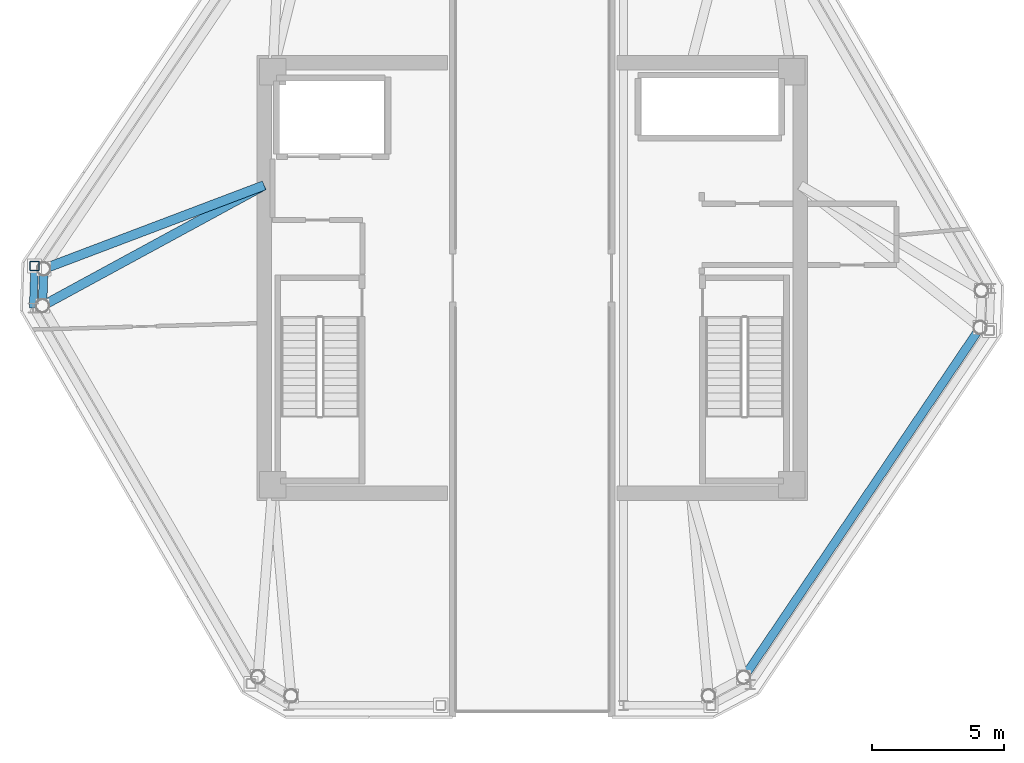
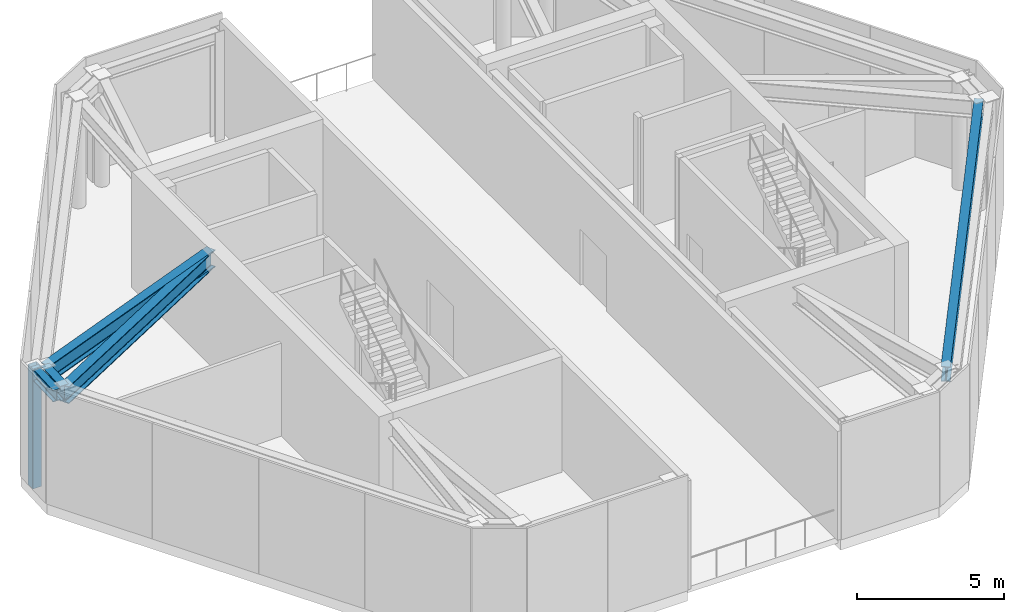
# One storey, part 3 of 8: 5 beams, 1 member.
"""IFC4 building model written with IfcOpenShell, lengths in metres."""

import ifcopenshell
import ifcopenshell.guid

model = None  # the IFC model being written
_history = None  # IfcOwnerHistory: only IFC2X3 demands one
_inside = {}  # id of a spatial element -> (the spatial element, [elements in it])
_under = {}  # id of a project, library or spatial element -> (it, [spatial elements below it])
_declared = {}  # id of a project -> (the project, [libraries it declares])
_typed = {}  # id of a type object -> (the type object, [elements of that type])
_made_of = {}  # id of a material, layer set ... -> (it, [elements and type objects made of it])


def new_model(schema):
    """Start an empty IFC model of exactly this schema.

    Asked for "IFC4X3", IfcOpenShell would pick the latest addendum, in which some entities
    have other attributes; the version numbers below select the first issue.
    IFC2X3 requires an IfcOwnerHistory on every rooted entity: one is made here for all.
    """
    global model, _history
    if schema == "IFC4X3":
        model = ifcopenshell.file(schema_version=(4, 3, 0, 0))
    else:
        model = ifcopenshell.file(schema=schema)
    _inside.clear()
    _under.clear()
    _declared.clear()
    _typed.clear()
    _made_of.clear()
    _history = None
    if model.schema == "IFC2X3":
        org = make("IfcOrganization", Name="unknown")
        user = make(
            "IfcPersonAndOrganization",
            ThePerson=make("IfcPerson", FamilyName="unknown"),
            TheOrganization=org,
        )
        app = make(
            "IfcApplication",
            ApplicationDeveloper=org,
            Version="unknown",
            ApplicationFullName="unknown",
            ApplicationIdentifier="unknown",
        )
        _history = make(
            "IfcOwnerHistory",
            OwningUser=user,
            OwningApplication=app,
            ChangeAction="ADDED",
            CreationDate=0,
        )
    return model


def make(cls, **values):
    """One entity of the class cls with the attributes given. An attribute that is None is left unset."""
    return model.create_entity(
        cls, **{name: value for name, value in values.items() if value is not None}
    )


def rooted(cls, **values):
    """An entity with a GlobalId (a new one), such as an element, a storey or a relation."""
    return make(cls, GlobalId=ifcopenshell.guid.new(), OwnerHistory=_history, **values)


def si_unit(unit_type, name, prefix=None):
    """IfcSIUnit, for example si_unit("LENGTHUNIT", "METRE", prefix="MILLI")."""
    return make("IfcSIUnit", UnitType=unit_type, Prefix=prefix, Name=name)


def assignment(units):
    """IfcUnitAssignment: the units of a project."""
    return None if units is None else make("IfcUnitAssignment", Units=units)


def point(xyz):
    """IfcCartesianPoint."""
    return None if xyz is None else make("IfcCartesianPoint", Coordinates=xyz)


def direction(xyz):
    """IfcDirection."""
    return None if xyz is None else make("IfcDirection", DirectionRatios=xyz)


def frame(location, z_axis=None, x_axis=None):
    """IfcAxis2Placement3D, a coordinate frame: its origin and axes. An axis left out is left unset."""
    return make(
        "IfcAxis2Placement3D",
        Location=point(location),
        Axis=direction(z_axis),
        RefDirection=direction(x_axis),
    )


def frame_2d(location, x_axis=None):
    """IfcAxis2Placement2D, a coordinate frame in the plane: its origin and x axis."""
    return make(
        "IfcAxis2Placement2D", Location=point(location), RefDirection=direction(x_axis)
    )


def origin():
    """The frame at (0, 0, 0) with its axes left unset."""
    return frame((0.0, 0.0, 0.0))


def origin_2d():
    """The frame at (0, 0) in the plane with its x axis left unset."""
    return frame_2d((0.0, 0.0))


def place(relative_to, where):
    """IfcLocalPlacement: puts the frame where relative to a parent placement (None: the world)."""
    return make(
        "IfcLocalPlacement", PlacementRelTo=relative_to, RelativePlacement=where
    )


def context(
    kind, dimensions, precision=None, world=None, true_north=None, identifier=None
):
    """IfcGeometricRepresentationContext, for example the 3D "Model" context."""
    return make(
        "IfcGeometricRepresentationContext",
        ContextIdentifier=identifier,
        ContextType=kind,
        CoordinateSpaceDimension=dimensions,
        Precision=precision,
        WorldCoordinateSystem=world,
        TrueNorth=true_north,
    )


def subcontext(parent, identifier, kind, view, scale=None):
    """IfcGeometricRepresentationSubContext, for example "Body" below "Model"."""
    return make(
        "IfcGeometricRepresentationSubContext",
        ContextIdentifier=identifier,
        ContextType=kind,
        ParentContext=parent,
        TargetScale=scale,
        TargetView=view,
    )


def project(units=None, contexts=None):
    """IfcProject with its units and contexts."""
    return rooted(
        "IfcProject",
        Name="project",
        RepresentationContexts=contexts,
        UnitsInContext=assignment(units),
    )


def spatial(cls, under=None, at=None, **own):
    """A site, building, storey or space (cls), placed at a placement, below another one or the project."""
    s = rooted(cls, ObjectPlacement=at, **own)
    if under is not None:
        _under.setdefault(under.id(), (under, []))[1].append(s)
    return s


def profile(cls, at=None, kind="AREA", **sizes):
    """A parametric profile (cls). Its sizes go by their IFC names, for example OverallWidth=200.0."""
    return make(cls, ProfileType=kind, Position=at, **sizes)


def hollow_rectangle(**sizes):
    """IfcRectangleHollowProfileDef."""
    return profile("IfcRectangleHollowProfileDef", **sizes)


def i_section(**sizes):
    """IfcIShapeProfileDef."""
    return profile("IfcIShapeProfileDef", **sizes)


def extrude(swept, where, along, depth):
    """IfcExtrudedAreaSolid: the profile swept, set in the frame where, extruded along a direction by depth."""
    return make(
        "IfcExtrudedAreaSolid",
        SweptArea=swept,
        Position=where,
        ExtrudedDirection=direction(along),
        Depth=depth,
    )


def shape(context_of_items, identifier, shape_type, items):
    """IfcShapeRepresentation: the items that make up one representation, for example the "Body"."""
    return make(
        "IfcShapeRepresentation",
        ContextOfItems=context_of_items,
        RepresentationIdentifier=identifier,
        RepresentationType=shape_type,
        Items=items,
    )


def source(mapping_origin, context_of_items, identifier, shape_type, items):
    """IfcRepresentationMap: a shape defined once, which mapped items show again and again."""
    return make(
        "IfcRepresentationMap",
        MappingOrigin=mapping_origin,
        MappedRepresentation=shape(context_of_items, identifier, shape_type, items),
    )


def transform(
    local_origin,
    x_axis=None,
    y_axis=None,
    z_axis=None,
    scale=None,
    scale2=None,
    scale3=None,
    uniform=True,
):
    """IfcCartesianTransformationOperator3D, or its non-uniform kind. x_axis, y_axis, z_axis: its Axis1, 2, 3."""
    if uniform:
        return make(
            "IfcCartesianTransformationOperator3D",
            Axis1=direction(x_axis),
            Axis2=direction(y_axis),
            LocalOrigin=point(local_origin),
            Scale=scale,
            Axis3=direction(z_axis),
        )
    return make(
        "IfcCartesianTransformationOperator3DnonUniform",
        Axis1=direction(x_axis),
        Axis2=direction(y_axis),
        LocalOrigin=point(local_origin),
        Scale=scale,
        Axis3=direction(z_axis),
        Scale2=scale2,
        Scale3=scale3,
    )


def mapped(mapping_source, mapping_target):
    """IfcMappedItem: shows the shape of a source again, moved by a transform."""
    return make(
        "IfcMappedItem", MappingSource=mapping_source, MappingTarget=mapping_target
    )


def material(Name=None, Category=None):
    """IfcMaterial."""
    return make("IfcMaterial", Name=Name, Category=Category)


def material_profile(
    of_material, cross_section, Name=None, Category=None, Priority=None
):
    """IfcMaterialProfile: a cross section and its material."""
    return make(
        "IfcMaterialProfile",
        Name=Name,
        Material=of_material,
        Profile=cross_section,
        Priority=Priority,
        Category=Category,
    )


def profile_set(profiles, Name=None, composite=None):
    """IfcMaterialProfileSet."""
    return make(
        "IfcMaterialProfileSet",
        Name=Name,
        MaterialProfiles=profiles,
        CompositeProfile=composite,
    )


def made_of(thing, what):
    """Note that an element or type object is made of a material, layer set ...; save() writes the relation."""
    if what is not None:
        _made_of.setdefault(what.id(), (what, []))[1].append(thing)
    return thing


def type_object(cls, material=None, **own):
    """A type object (cls), such as IfcWallType, which elements share."""
    return made_of(rooted(cls, **own), material)


def type_shapes(of_type, sources):
    """Give a type object the sources (RepresentationMaps) that its elements show as mapped items."""
    of_type.RepresentationMaps = sources


def element(
    cls,
    number,
    at=None,
    inside=None,
    cuts=None,
    type_object=None,
    material=None,
    context=None,
    identifier="Body",
    shape_type=None,
    held_by="IfcProductDefinitionShape",
    body=None,
    shapes=None,
    **own,
):
    """One element of the class cls, such as IfcWall. Its Tag is "e" and its number.

    at: its placement. inside: the storey or other place that contains it. cuts: it is an
    opening in that element (IfcRelVoidsElement). A single representation is given by context,
    identifier, shape_type and body (its items); several are given by shapes. held_by: the class
    of the entity that holds the representations. save() writes the other relations.
    """
    e = rooted(cls, Tag="e%d" % number, ObjectPlacement=at, **own)
    if body is not None:
        shapes = [shape(context, identifier, shape_type, body)]
    if shapes is not None:
        e.Representation = make(held_by, Representations=shapes)
    if inside is not None:
        _inside.setdefault(inside.id(), (inside, []))[1].append(e)
    if cuts is not None:
        rooted(
            "IfcRelVoidsElement", RelatingBuildingElement=cuts, RelatedOpeningElement=e
        )
    if type_object is not None:
        _typed.setdefault(type_object.id(), (type_object, []))[1].append(e)
    return made_of(e, material)


def aggregate(whole, parts):
    """IfcRelAggregates: a whole, such as a stair, and the parts it consists of."""
    return rooted("IfcRelAggregates", RelatingObject=whole, RelatedObjects=parts)


def save(model, path):
    """Write the relations noted so far, then the file.

    IfcRelAggregates (storeys below a building ...), IfcRelContainedInSpatialStructure (elements
    in a storey), IfcRelDefinesByType, IfcRelAssociatesMaterial and IfcRelDeclares: one each for
    every whole, place, type object, material and project.
    """
    for whole, parts in _under.values():
        aggregate(whole, parts)
    for where, things in _inside.values():
        rooted(
            "IfcRelContainedInSpatialStructure",
            RelatedElements=things,
            RelatingStructure=where,
        )
    for kind, things in _typed.values():
        rooted("IfcRelDefinesByType", RelatedObjects=things, RelatingType=kind)
    for what, things in _made_of.values():
        rooted("IfcRelAssociatesMaterial", RelatedObjects=things, RelatingMaterial=what)
    for by, libraries in _declared.values():
        rooted("IfcRelDeclares", RelatingContext=by, RelatedDefinitions=libraries)
    model.write(path)


model = new_model("IFC4")

# Units and contexts
model_context = context("Model", 3, precision=1e-05, world=origin(), true_north=direction((0.0, 1.0)))
body_context = subcontext(model_context, "Body", "Model", "MODEL_VIEW")
ifc_project = project(units=[si_unit("LENGTHUNIT", "METRE"), si_unit("AREAUNIT", "SQUARE_METRE"), si_unit("VOLUMEUNIT", "CUBIC_METRE"), si_unit("PLANEANGLEUNIT", "RADIAN"), si_unit("MASSUNIT", "GRAM", prefix="KILO")], contexts=[model_context])

# Site, building, storey
site_placement = place(None, origin())
site = spatial("IfcSite", under=ifc_project, at=site_placement, CompositionType="ELEMENT")
building_placement = place(site_placement, origin())
building = spatial("IfcBuilding", under=site, at=building_placement, Name="Durnholm Broadcast Tower", CompositionType="ELEMENT")
storey_placement = place(building_placement, frame((0.0, 0.0, 272.5)))
storey = spatial("IfcBuildingStorey", under=building, at=storey_placement, Name="L76", CompositionType="ELEMENT", Elevation=272.5)

# Beams
ifc_material_1 = material(Name="Steel ASTM A992 Grade 50", Category="steel")
ifc_material_profile_1 = material_profile(ifc_material_1, i_section(OverallWidth=0.3251953125, OverallDepth=0.6162109375, WebThickness=0.013916015625, FlangeThickness=0.021484375, FilletRadius=0.02783203125, at=origin_2d()), Name="W24X117")
ifc_profile_set_1 = profile_set([ifc_material_profile_1], Name="Steel ASTM A992 Grade 50")
beam_type_1 = type_object("IfcBeamType", Name="STL-SP-W24X117", PredefinedType="SPANDREL", material=ifc_profile_set_1)
shared_shape_1 = source(origin(), body_context, "Body", "SweptSolid", [
    extrude(i_section(OverallWidth=0.3251953125, OverallDepth=0.6162109375, WebThickness=0.013916015625, FlangeThickness=0.021484375, FilletRadius=0.02783203125, at=origin_2d()), origin(), (0.0, 0.0, 1.0), 1.39453125),
])
beam_1_placement = place(storey_placement, frame((-18.494384765625, -1.0478515625, 4.197021484375), z_axis=(0.034486393061, 0.999405167434, 0.0), x_axis=(-0.999405167434, 0.034486393061, 0.0)))
element("IfcBeam", 1, at=beam_1_placement, inside=storey, type_object=beam_type_1, Name="L76 perimeter spandrel girder 02", PredefinedType="SPANDREL", context=body_context, shape_type="MappedRepresentation", body=[
    mapped(shared_shape_1, transform((0.0, 0.0, 0.0), x_axis=(1.0, 0.0, 0.0), y_axis=(0.0, 1.0, 0.0), z_axis=(0.0, 0.0, 1.0), scale=1.0)),
])
shared_shape_2 = source(origin(), body_context, "Body", "SweptSolid", [
    extrude(i_section(OverallWidth=0.3251953125, OverallDepth=0.6162109375, WebThickness=0.013916015625, FlangeThickness=0.021484375, FilletRadius=0.02783203125, at=origin_2d()), origin(), (0.0, 0.0, 1.0), 15.947265625),
])
type_shapes(beam_type_1, [shared_shape_1, shared_shape_2])
beam_2_placement = place(storey_placement, frame((16.92236328125, -1.869873046875, 4.197021484375), z_axis=(-0.560062212489, -0.828450552623, 0.0), x_axis=(0.828450552623, -0.560062212489, 0.0)))
element("IfcBeam", 2, at=beam_2_placement, inside=storey, type_object=beam_type_1, Name="L76 perimeter spandrel girder 09", PredefinedType="SPANDREL", context=body_context, shape_type="MappedRepresentation", body=[
    mapped(shared_shape_2, transform((0.0, 0.0, 0.0), x_axis=(1.0, 0.0, 0.0), y_axis=(0.0, 1.0, 0.0), z_axis=(0.0, 0.0, 1.0), scale=1.0)),
])
ifc_material_profile_2 = material_profile(ifc_material_1, i_section(OverallWidth=0.3564453125, OverallDepth=0.713623046875, WebThickness=0.01904296875, FlangeThickness=0.033935546875, FilletRadius=0.030517578125, at=origin_2d()), Name="W27X194")
ifc_profile_set_2 = profile_set([ifc_material_profile_2], Name="Steel ASTM A992 Grade 50")
beam_type_2 = type_object("IfcBeamType", Name="STL-GR-W27X194", PredefinedType="USERDEFINED", material=ifc_profile_set_2)
shared_shape_3 = source(origin(), body_context, "Body", "SweptSolid", [
    extrude(i_section(OverallWidth=0.3564453125, OverallDepth=0.713623046875, WebThickness=0.01904296875, FlangeThickness=0.033935546875, FilletRadius=0.030517578125, at=origin_2d()), origin(), (0.0, 0.0, 1.0), 9.525146484375),
])
beam_3_placement = place(storey_placement, frame((-10.125, 3.5, 4.148193359375), z_axis=(-0.878656534666, -0.477454389538, 0.0), x_axis=(0.477454389538, -0.878656534666, 0.0)))
element("IfcBeam", 3, at=beam_3_placement, inside=storey, type_object=beam_type_2, Name="L76 radial primary floor girder 02", ObjectType="GIRDER", PredefinedType="USERDEFINED", context=body_context, shape_type="MappedRepresentation", body=[
    mapped(shared_shape_3, transform((0.0, 0.0, 0.0), x_axis=(1.0, 0.0, 0.0), y_axis=(0.0, 1.0, 0.0), z_axis=(0.0, 0.0, 1.0), scale=1.0)),
])
shared_shape_4 = source(origin(), body_context, "Body", "SweptSolid", [
    extrude(i_section(OverallWidth=0.3564453125, OverallDepth=0.713623046875, WebThickness=0.01904296875, FlangeThickness=0.033935546875, FilletRadius=0.030517578125, at=origin_2d()), origin(), (0.0, 0.0, 1.0), 8.89892578125),
])
type_shapes(beam_type_2, [shared_shape_3, shared_shape_4])
beam_4_placement = place(storey_placement, frame((-10.125, 3.5, 4.148193359375), z_axis=(-0.935083139703, -0.354428443898, 0.0), x_axis=(0.354428443898, -0.935083139703, 0.0)))
element("IfcBeam", 4, at=beam_4_placement, inside=storey, type_object=beam_type_2, Name="L76 radial primary floor girder 03", ObjectType="GIRDER", PredefinedType="USERDEFINED", context=body_context, shape_type="MappedRepresentation", body=[
    mapped(shared_shape_4, transform((0.0, 0.0, 0.0), x_axis=(1.0, 0.0, 0.0), y_axis=(0.0, 1.0, 0.0), z_axis=(0.0, 0.0, 1.0), scale=1.0)),
])

# Member
ifc_material_2 = material(Name="Steel ASTM A500 Grade C", Category="steel")
ifc_material_profile_3 = material_profile(ifc_material_2, hollow_rectangle(XDim=0.355712890625, YDim=0.355712890625, WallThickness=0.01171875, InnerFilletRadius=0.017578125, OuterFilletRadius=0.029541015625, at=origin_2d()), Name="HSS14X14X1/2")
ifc_profile_set_3 = profile_set([ifc_material_profile_3], Name="Steel ASTM A500 Grade C")
member_type = type_object("IfcMemberType", Name="STL-CF-HSS14X14", PredefinedType="USERDEFINED", material=ifc_profile_set_3)
shared_shape_5 = source(origin(), body_context, "Body", "SweptSolid", [
    extrude(hollow_rectangle(XDim=0.355712890625, YDim=0.355712890625, WallThickness=0.01171875, InnerFilletRadius=0.017578125, OuterFilletRadius=0.029541015625, at=origin_2d()), origin(), (0.0, 0.0, 1.0), 4.969970703125),
])
type_shapes(member_type, [shared_shape_5])
member_placement = place(storey_placement, frame((-18.792724609375, 0.45849609375, -0.449951171875), z_axis=(0.0, 0.0, 1.0), x_axis=(1.0, 0.0, 0.0)))
element("IfcMember", 5, at=member_placement, inside=storey, type_object=member_type, Name="L76 W split-crown frame post 7", ObjectType="CROWN FRAME", PredefinedType="USERDEFINED", context=body_context, shape_type="MappedRepresentation", body=[
    mapped(shared_shape_5, transform((0.0, 0.0, 0.0), x_axis=(1.0, 0.0, 0.0), y_axis=(0.0, 1.0, 0.0), z_axis=(0.0, 0.0, 1.0), scale=1.0)),
])

# Beam
ifc_material_profile_4 = material_profile(ifc_material_1, i_section(OverallWidth=0.2861328125, OverallDepth=0.481689453125, WebThickness=0.0166015625, FlangeThickness=0.02685546875, FilletRadius=0.02294921875, at=origin_2d()), Name="W18X119")
ifc_profile_set_4 = profile_set([ifc_material_profile_4], Name="Steel ASTM A992 Grade 50")
beam_type_3 = type_object("IfcBeamType", Name="STL-BM-W18X119", PredefinedType="BEAM", material=ifc_profile_set_4)
shared_shape_6 = source(origin(), body_context, "Body", "SweptSolid", [
    extrude(i_section(OverallWidth=0.2861328125, OverallDepth=0.481689453125, WebThickness=0.0166015625, FlangeThickness=0.02685546875, FilletRadius=0.02294921875, at=origin_2d()), origin(), (0.0, 0.0, 1.0), 1.595947265625),
])
type_shapes(beam_type_3, [shared_shape_6])
beam_5_placement = place(storey_placement, frame((-18.792724609375, 0.45849609375, 4.26416015625), z_axis=(-0.034267326711, -0.999412702701, 0.0), x_axis=(0.999412702701, -0.034267326711, 0.0)))
element("IfcBeam", 6, at=beam_5_placement, inside=storey, type_object=beam_type_3, Name="L76 W split-crown frame ring beam 7", PredefinedType="SPANDREL", context=body_context, shape_type="MappedRepresentation", body=[
    mapped(shared_shape_6, transform((0.0, 0.0, 0.0), x_axis=(1.0, 0.0, 0.0), y_axis=(0.0, 1.0, 0.0), z_axis=(0.0, 0.0, 1.0), scale=1.0)),
])

save(model, "model.ifc")
